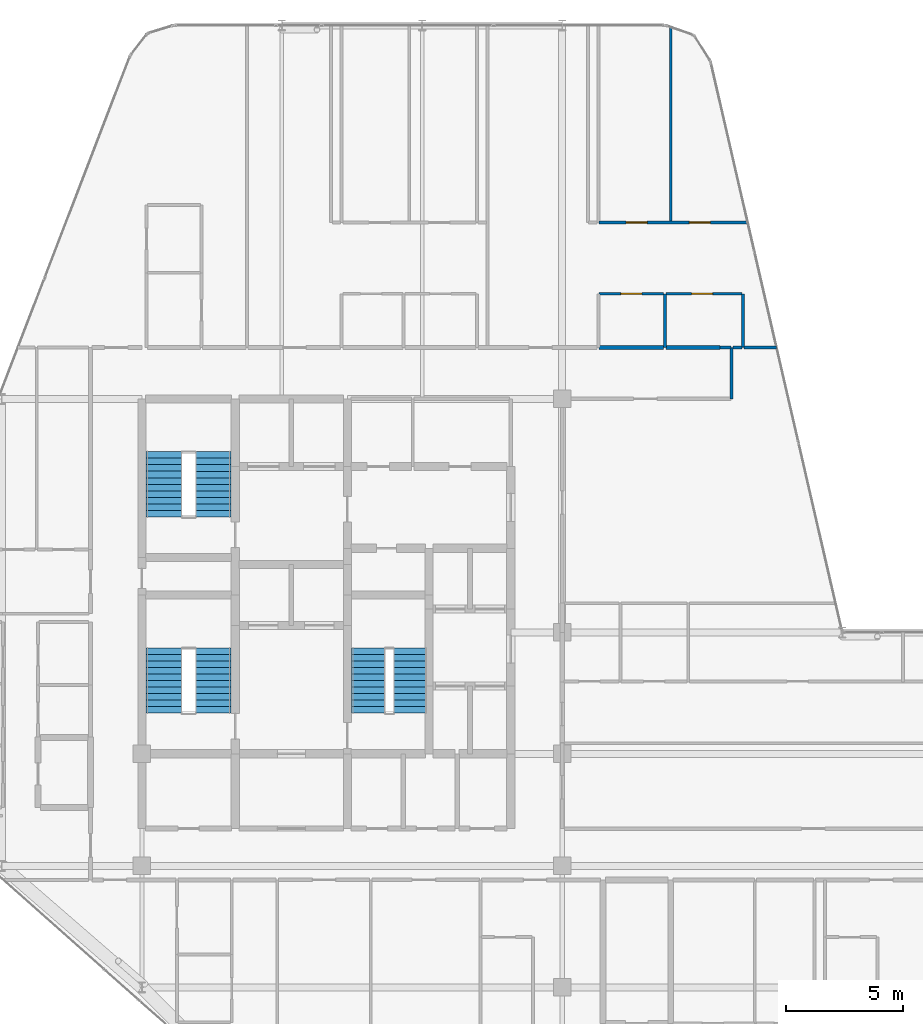
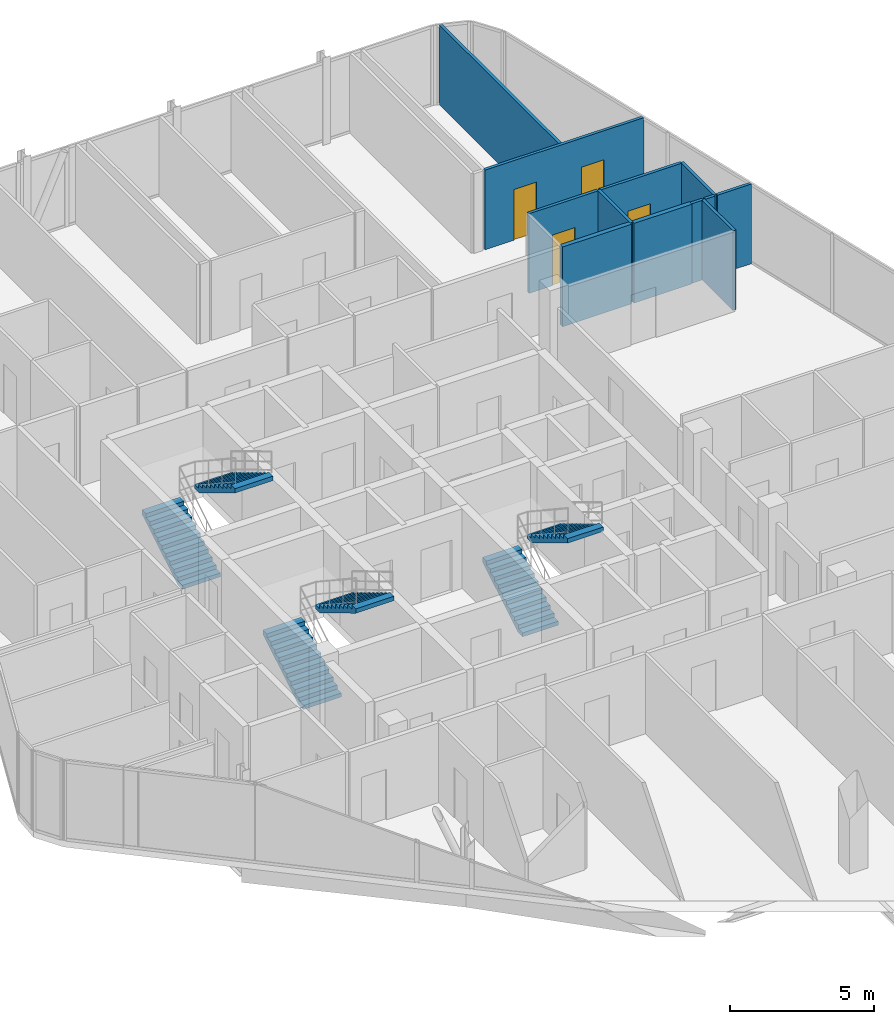
# One storey, part 28 of 29: 12 walls, 6 stair flights, 4 doors, 4 openings, 3 elements without a shape of their own.
"""IFC4 building model written with IfcOpenShell, lengths in metres."""

from ifc_helpers import new_model, si_unit, direction, frame, frame_2d, origin, place, context, subcontext, project, spatial, polyline, rectangle, outline, extrude, material, layer, layer_set, type_object, element, fill, aggregate, save


model = new_model("IFC4")

# Units and contexts
model_context = context("Model", 3, precision=1e-05, world=origin(), true_north=direction((0.0, 1.0)))
body_context = subcontext(model_context, "Body", "Model", "MODEL_VIEW")
ifc_project = project(units=[si_unit("LENGTHUNIT", "METRE"), si_unit("AREAUNIT", "SQUARE_METRE"), si_unit("VOLUMEUNIT", "CUBIC_METRE"), si_unit("PLANEANGLEUNIT", "RADIAN"), si_unit("MASSUNIT", "GRAM", prefix="KILO")], contexts=[model_context])

# Site, building, storey
site_placement = place(None, origin())
site = spatial("IfcSite", under=ifc_project, at=site_placement, CompositionType="ELEMENT")
building_placement = place(site_placement, origin())
building = spatial("IfcBuilding", under=site, at=building_placement, Name="Keshet Zoharim Tower", CompositionType="ELEMENT")
storey_placement = place(building_placement, frame((0.0, 0.0, 214.300048828125)))
storey = spatial("IfcBuildingStorey", under=building, at=storey_placement, Name="L53", CompositionType="ELEMENT", Elevation=214.300048828125)

# Walls
ifc_material_1 = material(Name="Gypsum Plasterboard", Category="gypsum")
ifc_layer_1 = layer(ifc_material_1, 0.179931640625)
ifc_layer_set_1 = layer_set([ifc_layer_1], Name="Gypsum Plasterboard")
wall_type_1 = type_object("IfcWallType", Name="WL-CORR-180", PredefinedType="STANDARD", material=ifc_layer_set_1)
wall_1_placement = place(storey_placement, frame((34.574951171875, 40.10009765625, 0.0), z_axis=(0.0, 0.0, 1.0), x_axis=(1.0, 0.0, 0.0)))
element("IfcWall", 1, at=wall_1_placement, inside=storey, type_object=wall_type_1, Name="L53 Interior Wall 188", PredefinedType="STANDARD", context=body_context, shape_type="SweptSolid", body=[
    extrude(rectangle(XDim=2.77197265625, YDim=0.179931640625, at=frame_2d((1.385986328125, 0.0))), origin(), (0.0, 0.0, 1.0), 3.3798828125),
])
wall_2_placement = place(storey_placement, frame((37.43701171875, 40.10009765625, 0.0), z_axis=(0.0, 0.0, 1.0), x_axis=(1.0, 0.0, 0.0)))
element("IfcWall", 2, at=wall_2_placement, inside=storey, type_object=wall_type_1, Name="L53 Interior Wall 189", PredefinedType="STANDARD", context=body_context, shape_type="SweptSolid", body=[
    extrude(rectangle(XDim=2.325927734375, YDim=0.179931640625, at=frame_2d((1.1630859375, 0.0))), origin(), (0.0, 0.0, 1.0), 3.3798828125),
])
ifc_layer_2 = layer(ifc_material_1, 0.1201171875)
ifc_layer_set_2 = layer_set([ifc_layer_2], Name="Gypsum Plasterboard")
wall_type_2 = type_object("IfcWallType", Name="WL-PART-120", PredefinedType="PARTITIONING", material=ifc_layer_set_2)
wall_3_placement = place(storey_placement, frame((37.64990234375, 45.449951171875, 0.0), z_axis=(0.0, 0.0, 1.0), x_axis=(0.0, 1.0, 0.0)))
element("IfcWall", 3, at=wall_3_placement, inside=storey, type_object=wall_type_2, Name="L53 Interior Wall 081", PredefinedType="PARTITIONING", context=body_context, shape_type="SweptSolid", body=[
    extrude(rectangle(XDim=8.35595703125, YDim=0.1201171875, at=frame_2d((4.177978515625, 0.0))), origin(), (0.0, 0.0, 1.0), 3.3798828125),
])
wall_4_placement = place(storey_placement, frame((40.25, 37.89990234375, 0.0), z_axis=(0.0, 0.0, 1.0), x_axis=(0.0, 1.0, 0.0)))
element("IfcWall", 4, at=wall_4_placement, inside=storey, type_object=wall_type_2, Name="L53 Interior Wall 084", PredefinedType="PARTITIONING", context=body_context, shape_type="SweptSolid", body=[
    extrude(rectangle(XDim=2.2001953125, YDim=0.1201171875, at=frame_2d((1.10009765625, 0.0))), origin(), (0.0, 0.0, 1.0), 3.3798828125),
])
wall_5_placement = place(storey_placement, frame((40.797119140625, 40.10009765625, 0.0), z_axis=(0.0, 0.0, 1.0), x_axis=(1.0, 0.0, 0.0)))
element("IfcWall", 5, at=wall_5_placement, inside=storey, type_object=wall_type_2, Name="L53 Interior Wall 192", PredefinedType="PARTITIONING", context=body_context, shape_type="SweptSolid", body=[
    extrude(rectangle(XDim=1.3779296875, YDim=0.1201171875, at=frame_2d((0.68896484375, 0.0))), origin(), (0.0, 0.0, 1.0), 3.3798828125),
])

# Wall, opening, door
wall_6_placement = place(storey_placement, frame((34.574951171875, 42.39990234375, 0.0), z_axis=(0.0, 0.0, 1.0), x_axis=(1.0, 0.0, 0.0)))
wall_6 = element("IfcWall", 6, at=wall_6_placement, inside=storey, type_object=wall_type_2, Name="L53 Interior Wall 195", PredefinedType="PARTITIONING", context=body_context, shape_type="SweptSolid", body=[
    extrude(rectangle(XDim=2.77197265625, YDim=0.1201171875, at=frame_2d((1.385986328125, 0.0))), origin(), (0.0, 0.0, 1.0), 3.3798828125),
])
opening_1_placement = place(wall_6_placement, frame((0.93603515625, 0.0, 0.0)))
opening_1 = element("IfcOpeningElement", 7, at=opening_1_placement, cuts=wall_6, Name="Opening D-IN90", PredefinedType="OPENING", context=body_context, shape_type="SweptSolid", body=[
    extrude(rectangle(XDim=0.89990234375, YDim=2.14990234375, at=frame_2d((0.449951171875, 1.074951171875))), frame((0.0, 0.070068359375, 0.0), z_axis=(0.0, -1.0, 0.0), x_axis=(1.0, 0.0, 0.0)), (0.0, 0.0, 1.0), 0.14013671875),
])
ifc_material_2 = material(Name="Hardwood Timber", Category="wood")
door_type_1 = type_object("IfcDoorType", Name="DR-INT-090", OperationType="NOTDEFINED", PredefinedType="DOOR", material=ifc_material_2)
door_1_placement = place(opening_1_placement, origin())
door_1 = element("IfcDoor", 8, at=door_1_placement, inside=storey, type_object=door_type_1, Name="Apartment 5306 Kitchen Door", OperationType="SINGLE_SWING_RIGHT", OverallHeight=2.14990234375, OverallWidth=0.89990234375, PredefinedType="DOOR", context=body_context, shape_type="SweptSolid", body=[
    extrude(rectangle(XDim=0.89990234375, YDim=2.14990234375, at=frame_2d((0.449951171875, 1.074951171875))), frame((0.0, 0.02490234375, 0.0), z_axis=(0.0, -1.0, 0.0), x_axis=(1.0, 0.0, 0.0)), (0.0, 0.0, 1.0), 0.050048828125),
])
fill(opening_1, door_1)

# Wall, openings, doors
wall_7_placement = place(storey_placement, frame((34.574951171875, 45.449951171875, 0.0), z_axis=(0.0, 0.0, 1.0), x_axis=(1.0, 0.0, 0.0)))
wall_7 = element("IfcWall", 9, at=wall_7_placement, inside=storey, type_object=wall_type_2, Name="L53 Interior Wall 202", PredefinedType="PARTITIONING", context=body_context, shape_type="SweptSolid", body=[
    extrude(rectangle(XDim=6.364990234375, YDim=0.1201171875, at=frame_2d((3.1826171875, 0.0))), origin(), (0.0, 0.0, 1.0), 3.3798828125),
])
opening_2_placement = place(wall_7_placement, frame((1.160888671875, 0.0, 0.0)))
opening_2 = element("IfcOpeningElement", 10, at=opening_2_placement, cuts=wall_7, Name="Opening D-IN90", PredefinedType="OPENING", context=body_context, shape_type="SweptSolid", body=[
    extrude(rectangle(XDim=0.89990234375, YDim=2.14990234375, at=frame_2d((0.449951171875, 1.074951171875))), frame((0.0, 0.070068359375, 0.0), z_axis=(0.0, -1.0, 0.0), x_axis=(1.0, 0.0, 0.0)), (0.0, 0.0, 1.0), 0.14013671875),
])
opening_3_placement = place(wall_7_placement, frame((3.8701171875, 0.0, 0.0)))
opening_3 = element("IfcOpeningElement", 11, at=opening_3_placement, cuts=wall_7, Name="Opening D-IN90", PredefinedType="OPENING", context=body_context, shape_type="SweptSolid", body=[
    extrude(rectangle(XDim=0.89990234375, YDim=2.14990234375, at=frame_2d((0.449951171875, 1.074951171875))), frame((0.0, 0.070068359375, 0.0), z_axis=(0.0, -1.0, 0.0), x_axis=(1.0, 0.0, 0.0)), (0.0, 0.0, 1.0), 0.14013671875),
])
door_2_placement = place(opening_2_placement, origin())
door_2 = element("IfcDoor", 12, at=door_2_placement, inside=storey, type_object=door_type_1, Name="Apartment 5306 Bedroom 1 Door", OperationType="SINGLE_SWING_RIGHT", OverallHeight=2.14990234375, OverallWidth=0.89990234375, PredefinedType="DOOR", context=body_context, shape_type="SweptSolid", body=[
    extrude(rectangle(XDim=0.89990234375, YDim=2.14990234375, at=frame_2d((0.449951171875, 1.074951171875))), frame((0.0, 0.02490234375, 0.0), z_axis=(0.0, -1.0, 0.0), x_axis=(1.0, 0.0, 0.0)), (0.0, 0.0, 1.0), 0.050048828125),
])
fill(opening_2, door_2)
door_3_placement = place(opening_3_placement, origin())
door_3 = element("IfcDoor", 13, at=door_3_placement, inside=storey, type_object=door_type_1, Name="Apartment 5306 Bedroom 2 Door", OperationType="SINGLE_SWING_LEFT", OverallHeight=2.14990234375, OverallWidth=0.89990234375, PredefinedType="DOOR", context=body_context, shape_type="SweptSolid", body=[
    extrude(rectangle(XDim=0.89990234375, YDim=2.14990234375, at=frame_2d((0.449951171875, 1.074951171875))), frame((0.0, 0.02490234375, 0.0), z_axis=(0.0, -1.0, 0.0), x_axis=(1.0, 0.0, 0.0)), (0.0, 0.0, 1.0), 0.050048828125),
])
fill(opening_3, door_3)

# Walls
ifc_layer_3 = layer(ifc_material_1, 0.1201171875)
ifc_layer_set_3 = layer_set([ifc_layer_3], Name="Gypsum Plasterboard")
wall_type_3 = type_object("IfcWallType", Name="WL-WET-120", PredefinedType="PARTITIONING", material=ifc_layer_set_3)
for number, where, z_axis, x_axis, name in (
    (14, (37.39990234375, 40.10009765625, 0.0), (0.0, 0.0, 1.0), (0.0, 1.0, 0.0), "L53 Interior Wall 079"),
    (15, (40.75, 40.10009765625, 0.0), (0.0, 0.0, 1.0), (0.0, 1.0, 0.0), "L53 Interior Wall 085"),
):
    element("IfcWall", number, at=place(storey_placement, frame(where, z_axis=z_axis, x_axis=x_axis)), inside=storey, type_object=wall_type_3, Name=name, PredefinedType="PARTITIONING", context=body_context, shape_type="SweptSolid", body=[
        extrude(rectangle(XDim=2.2998046875, YDim=0.1201171875, at=frame_2d((1.14990234375, 0.0))), origin(), (0.0, 0.0, 1.0), 3.3798828125),
    ])
wall_8_placement = place(storey_placement, frame((39.762939453125, 40.10009765625, 0.0), z_axis=(0.0, 0.0, 1.0), x_axis=(1.0, 0.0, 0.0)))
element("IfcWall", 16, at=wall_8_placement, inside=storey, type_object=wall_type_3, Name="L53 Interior Wall 190", PredefinedType="PARTITIONING", context=body_context, shape_type="SweptSolid", body=[
    extrude(rectangle(XDim=0.462158203125, YDim=0.1201171875, at=frame_2d((0.23095703125, 0.0))), origin(), (0.0, 0.0, 1.0), 3.3798828125),
])
wall_9_placement = place(storey_placement, frame((40.31494140625, 40.10009765625, 0.0), z_axis=(0.0, 0.0, 1.0), x_axis=(1.0, 0.0, 0.0)))
element("IfcWall", 17, at=wall_9_placement, inside=storey, type_object=wall_type_3, Name="L53 Interior Wall 191", PredefinedType="PARTITIONING", context=body_context, shape_type="SweptSolid", body=[
    extrude(rectangle(XDim=0.39208984375, YDim=0.1201171875, at=frame_2d((0.196044921875, 0.0))), origin(), (0.0, 0.0, 1.0), 3.3798828125),
])

# Wall, opening, door
wall_10_placement = place(storey_placement, frame((37.43701171875, 42.39990234375, 0.0), z_axis=(0.0, 0.0, 1.0), x_axis=(1.0, 0.0, 0.0)))
wall_10 = element("IfcWall", 18, at=wall_10_placement, inside=storey, type_object=wall_type_3, Name="L53 Interior Wall 196", PredefinedType="PARTITIONING", context=body_context, shape_type="SweptSolid", body=[
    extrude(rectangle(XDim=3.27001953125, YDim=0.1201171875, at=frame_2d((1.635009765625, 0.0))), origin(), (0.0, 0.0, 1.0), 3.3798828125),
])
opening_4_placement = place(wall_10_placement, frame((1.110107421875, 0.0, 0.0)))
opening_4 = element("IfcOpeningElement", 19, at=opening_4_placement, cuts=wall_10, Name="Opening D-WT90", PredefinedType="OPENING", context=body_context, shape_type="SweptSolid", body=[
    extrude(rectangle(XDim=0.89990234375, YDim=2.10009765625, at=frame_2d((0.449951171875, 1.050048828125))), frame((0.0, 0.070068359375, 0.0), z_axis=(0.0, -1.0, 0.0), x_axis=(1.0, 0.0, 0.0)), (0.0, 0.0, 1.0), 0.14013671875),
])
door_type_2 = type_object("IfcDoorType", Name="DR-WET-090", OperationType="NOTDEFINED", PredefinedType="DOOR", material=ifc_material_2)
door_4_placement = place(opening_4_placement, origin())
door_4 = element("IfcDoor", 20, at=door_4_placement, inside=storey, type_object=door_type_2, Name="Apartment 5306 Bathroom Door", OperationType="SINGLE_SWING_LEFT", OverallHeight=2.10009765625, OverallWidth=0.89990234375, PredefinedType="DOOR", context=body_context, shape_type="SweptSolid", body=[
    extrude(rectangle(XDim=0.89990234375, YDim=2.10009765625, at=frame_2d((0.449951171875, 1.050048828125))), frame((0.0, 0.02490234375, 0.0), z_axis=(0.0, -1.0, 0.0), x_axis=(1.0, 0.0, 0.0)), (0.0, 0.0, 1.0), 0.050048828125),
])
fill(opening_4, door_4)

# Stair, stair flights
ifc_material_3 = material(Name="Concrete C50/60", Category="concrete")
stair_type = type_object("IfcStairType", Name="STR-EXIT-135", PredefinedType="HALF_TURN_STAIR", material=ifc_material_3)
stair_1_placement = place(storey_placement, origin())
stair_1 = element("IfcStair", 21, at=stair_1_placement, inside=storey, type_object=stair_type, Name="L53 Enclosed Exit Stair ST-01", PredefinedType="HALF_TURN_STAIR")
stair_flight_type_1 = type_object("IfcStairFlightType", Name="FLT-PRE-135", PredefinedType="STRAIGHT", material=ifc_material_3)
stair_flight_1_placement = place(storey_placement, frame((15.945068359375, 24.43994140625, 0.0), z_axis=(0.0, 0.0, 1.0), x_axis=(0.0, 1.0, 0.0)))
stair_flight_1 = element("IfcStairFlight", 22, at=stair_flight_1_placement, type_object=stair_flight_type_1, Name="ST-01 flight 1", NumberOfRisers=11, NumberOfTreads=10, PredefinedType="STRAIGHT", RiserHeight=0.168182, TreadLength=0.28, context=body_context, shape_type="SweptSolid", body=[
    extrude(outline(polyline([(0.0, 0.0), (0.0, 0.168212890625), (0.280029296875, 0.168212890625), (0.280029296875, 0.33642578125), (0.56005859375, 0.33642578125), (0.56005859375, 0.504638671875), (0.840087890625, 0.504638671875), (0.840087890625, 0.672607421875), (1.1201171875, 0.672607421875), (1.1201171875, 0.8408203125), (1.39990234375, 0.8408203125), (1.39990234375, 1.009033203125), (1.679931640625, 1.009033203125), (1.679931640625, 1.17724609375), (1.9599609375, 1.17724609375), (1.9599609375, 1.345458984375), (2.239990234375, 1.345458984375), (2.239990234375, 1.513671875), (2.52001953125, 1.513671875), (2.52001953125, 1.681884765625), (2.800048828125, 1.681884765625), (2.800048828125, 1.85009765625), (2.800048828125, 1.495361328125), (0.310546875, 0.0), (0.0, 0.0)])), frame((0.0, 0.76513671875, 0.0), z_axis=(0.0, -1.0, 0.0), x_axis=(1.0, 0.0, 0.0)), (0.0, 0.0, 1.0), 1.530029296875),
])
stair_flight_2_placement = place(storey_placement, frame((18.054931640625, 27.239990234375, 1.849853515625), z_axis=(0.0, 0.0, 1.0), x_axis=(0.0, -1.0, 0.0)))
stair_flight_2 = element("IfcStairFlight", 23, at=stair_flight_2_placement, type_object=stair_flight_type_1, Name="ST-01 flight 2", NumberOfRisers=11, NumberOfTreads=10, PredefinedType="STRAIGHT", RiserHeight=0.168182, TreadLength=0.28, context=body_context, shape_type="SweptSolid", body=[
    extrude(outline(polyline([(0.0, 0.0), (0.0, 0.168212890625), (0.280029296875, 0.168212890625), (0.280029296875, 0.33642578125), (0.56005859375, 0.33642578125), (0.56005859375, 0.504638671875), (0.840087890625, 0.504638671875), (0.840087890625, 0.672607421875), (1.1201171875, 0.672607421875), (1.1201171875, 0.8408203125), (1.39990234375, 0.8408203125), (1.39990234375, 1.009033203125), (1.679931640625, 1.009033203125), (1.679931640625, 1.17724609375), (1.9599609375, 1.17724609375), (1.9599609375, 1.345458984375), (2.239990234375, 1.345458984375), (2.239990234375, 1.513671875), (2.52001953125, 1.513671875), (2.52001953125, 1.681884765625), (2.800048828125, 1.681884765625), (2.800048828125, 1.85009765625), (2.800048828125, 1.495361328125), (0.310546875, 0.0), (0.0, 0.0)])), frame((0.0, 0.76513671875, 0.0), z_axis=(0.0, -1.0, 0.0), x_axis=(1.0, 0.0, 0.0)), (0.0, 0.0, 1.0), 1.530029296875),
])
aggregate(stair_1, [stair_flight_1, stair_flight_2])

stair_2_placement = place(storey_placement, origin())
stair_2 = element("IfcStair", 24, at=stair_2_placement, inside=storey, type_object=stair_type, Name="L53 Enclosed Exit Stair ST-02", PredefinedType="HALF_TURN_STAIR")
stair_flight_3_placement = place(storey_placement, frame((15.945068359375, 32.840087890625, 0.0), z_axis=(0.0, 0.0, 1.0), x_axis=(0.0, 1.0, 0.0)))
stair_flight_3 = element("IfcStairFlight", 25, at=stair_flight_3_placement, type_object=stair_flight_type_1, Name="ST-02 flight 1", NumberOfRisers=11, NumberOfTreads=10, PredefinedType="STRAIGHT", RiserHeight=0.168182, TreadLength=0.28, context=body_context, shape_type="SweptSolid", body=[
    extrude(outline(polyline([(0.0, 0.0), (0.0, 0.168212890625), (0.280029296875, 0.168212890625), (0.280029296875, 0.33642578125), (0.56005859375, 0.33642578125), (0.56005859375, 0.504638671875), (0.840087890625, 0.504638671875), (0.840087890625, 0.672607421875), (1.1201171875, 0.672607421875), (1.1201171875, 0.8408203125), (1.39990234375, 0.8408203125), (1.39990234375, 1.009033203125), (1.679931640625, 1.009033203125), (1.679931640625, 1.17724609375), (1.9599609375, 1.17724609375), (1.9599609375, 1.345458984375), (2.239990234375, 1.345458984375), (2.239990234375, 1.513671875), (2.52001953125, 1.513671875), (2.52001953125, 1.681884765625), (2.800048828125, 1.681884765625), (2.800048828125, 1.85009765625), (2.800048828125, 1.495361328125), (0.310546875, 0.0), (0.0, 0.0)])), frame((0.0, 0.76513671875, 0.0), z_axis=(0.0, -1.0, 0.0), x_axis=(1.0, 0.0, 0.0)), (0.0, 0.0, 1.0), 1.530029296875),
])
stair_flight_4_placement = place(storey_placement, frame((18.054931640625, 35.639892578125, 1.849853515625), z_axis=(0.0, 0.0, 1.0), x_axis=(0.0, -1.0, 0.0)))
stair_flight_4 = element("IfcStairFlight", 26, at=stair_flight_4_placement, type_object=stair_flight_type_1, Name="ST-02 flight 2", NumberOfRisers=11, NumberOfTreads=10, PredefinedType="STRAIGHT", RiserHeight=0.168182, TreadLength=0.28, context=body_context, shape_type="SweptSolid", body=[
    extrude(outline(polyline([(0.0, 0.0), (0.0, 0.168212890625), (0.280029296875, 0.168212890625), (0.280029296875, 0.33642578125), (0.56005859375, 0.33642578125), (0.56005859375, 0.504638671875), (0.840087890625, 0.504638671875), (0.840087890625, 0.672607421875), (1.1201171875, 0.672607421875), (1.1201171875, 0.8408203125), (1.39990234375, 0.8408203125), (1.39990234375, 1.009033203125), (1.679931640625, 1.009033203125), (1.679931640625, 1.17724609375), (1.9599609375, 1.17724609375), (1.9599609375, 1.345458984375), (2.239990234375, 1.345458984375), (2.239990234375, 1.513671875), (2.52001953125, 1.513671875), (2.52001953125, 1.681884765625), (2.800048828125, 1.681884765625), (2.800048828125, 1.85009765625), (2.800048828125, 1.495361328125), (0.310546875, 0.0), (0.0, 0.0)])), frame((0.0, 0.76513671875, 0.0), z_axis=(0.0, -1.0, 0.0), x_axis=(1.0, 0.0, 0.0)), (0.0, 0.0, 1.0), 1.530029296875),
])
aggregate(stair_2, [stair_flight_3, stair_flight_4])

stair_3_placement = place(storey_placement, origin())
stair_3 = element("IfcStair", 27, at=stair_3_placement, inside=storey, type_object=stair_type, Name="L53 Enclosed Exit Stair ST-03", PredefinedType="HALF_TURN_STAIR")
stair_flight_type_2 = type_object("IfcStairFlightType", Name="FLT-PRE-144", PredefinedType="STRAIGHT", material=ifc_material_3)
stair_flight_5_placement = place(storey_placement, frame((24.699951171875, 24.43994140625, 0.0), z_axis=(0.0, 0.0, 1.0), x_axis=(0.0, 1.0, 0.0)))
stair_flight_5 = element("IfcStairFlight", 28, at=stair_flight_5_placement, type_object=stair_flight_type_2, Name="ST-03 flight 1", NumberOfRisers=11, NumberOfTreads=10, PredefinedType="STRAIGHT", RiserHeight=0.168182, TreadLength=0.28, context=body_context, shape_type="SweptSolid", body=[
    extrude(outline(polyline([(0.0, 0.0), (0.0, 0.168212890625), (0.280029296875, 0.168212890625), (0.280029296875, 0.33642578125), (0.56005859375, 0.33642578125), (0.56005859375, 0.504638671875), (0.840087890625, 0.504638671875), (0.840087890625, 0.672607421875), (1.1201171875, 0.672607421875), (1.1201171875, 0.8408203125), (1.39990234375, 0.8408203125), (1.39990234375, 1.009033203125), (1.679931640625, 1.009033203125), (1.679931640625, 1.17724609375), (1.9599609375, 1.17724609375), (1.9599609375, 1.345458984375), (2.239990234375, 1.345458984375), (2.239990234375, 1.513671875), (2.52001953125, 1.513671875), (2.52001953125, 1.681884765625), (2.800048828125, 1.681884765625), (2.800048828125, 1.85009765625), (2.800048828125, 1.495361328125), (0.310546875, 0.0), (0.0, 0.0)])), frame((0.0, 0.719970703125, 0.0), z_axis=(0.0, -1.0, 0.0), x_axis=(1.0, 0.0, 0.0)), (0.0, 0.0, 1.0), 1.43994140625),
])
stair_flight_6_placement = place(storey_placement, frame((26.5, 27.239990234375, 1.849853515625), z_axis=(0.0, 0.0, 1.0), x_axis=(0.0, -1.0, 0.0)))
stair_flight_6 = element("IfcStairFlight", 29, at=stair_flight_6_placement, type_object=stair_flight_type_2, Name="ST-03 flight 2", NumberOfRisers=11, NumberOfTreads=10, PredefinedType="STRAIGHT", RiserHeight=0.168182, TreadLength=0.28, context=body_context, shape_type="SweptSolid", body=[
    extrude(outline(polyline([(0.0, 0.0), (0.0, 0.168212890625), (0.280029296875, 0.168212890625), (0.280029296875, 0.33642578125), (0.56005859375, 0.33642578125), (0.56005859375, 0.504638671875), (0.840087890625, 0.504638671875), (0.840087890625, 0.672607421875), (1.1201171875, 0.672607421875), (1.1201171875, 0.8408203125), (1.39990234375, 0.8408203125), (1.39990234375, 1.009033203125), (1.679931640625, 1.009033203125), (1.679931640625, 1.17724609375), (1.9599609375, 1.17724609375), (1.9599609375, 1.345458984375), (2.239990234375, 1.345458984375), (2.239990234375, 1.513671875), (2.52001953125, 1.513671875), (2.52001953125, 1.681884765625), (2.800048828125, 1.681884765625), (2.800048828125, 1.85009765625), (2.800048828125, 1.495361328125), (0.310546875, 0.0), (0.0, 0.0)])), frame((0.0, 0.719970703125, 0.0), z_axis=(0.0, -1.0, 0.0), x_axis=(1.0, 0.0, 0.0)), (0.0, 0.0, 1.0), 1.43994140625),
])
aggregate(stair_3, [stair_flight_5, stair_flight_6])

save(model, "model.ifc")
